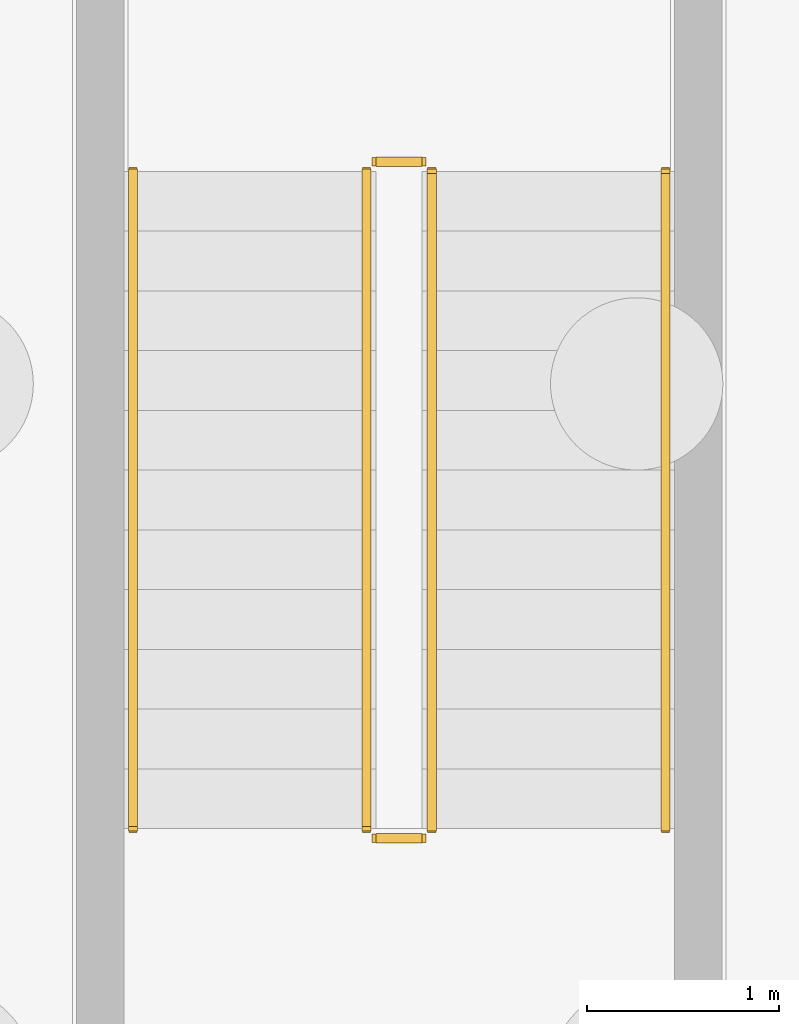
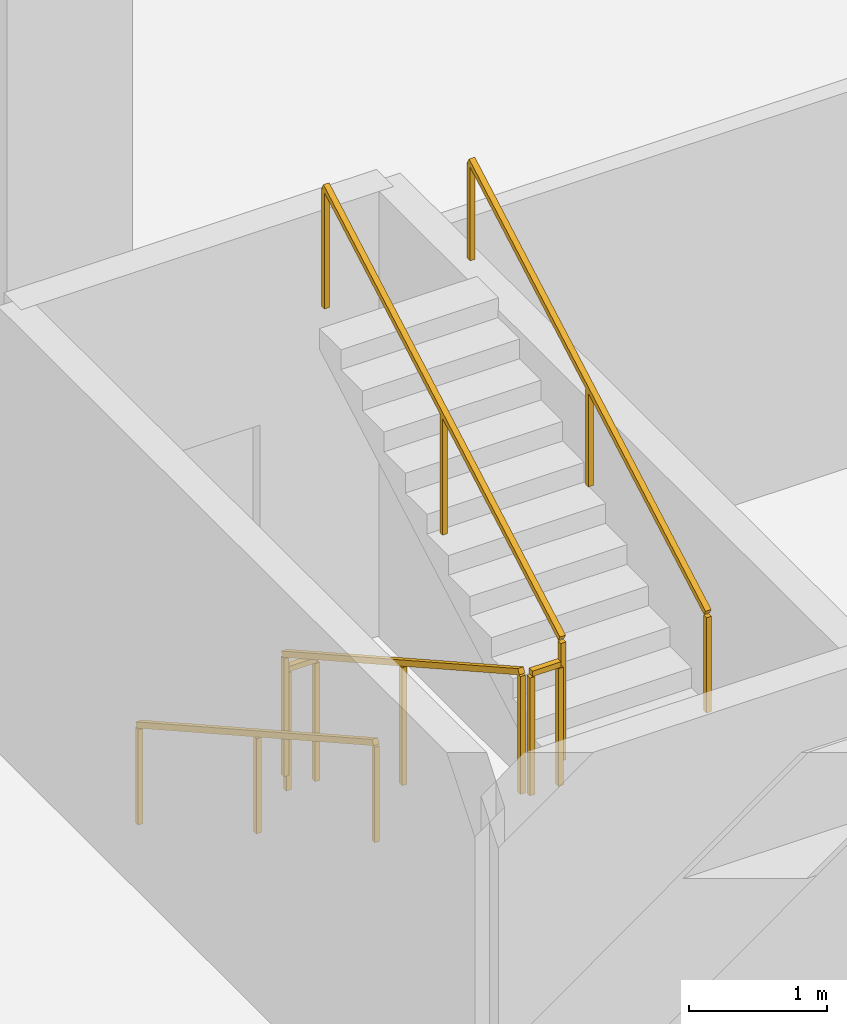
# One storey, part 10 of 13: 6 railings.
"""IFC4 building model written with IfcOpenShell, lengths in metres."""

from ifc_helpers import new_model, si_unit, direction, frame, origin, origin_2d, place, context, subcontext, project, spatial, rectangle, extrude, material, type_object, element, save


model = new_model("IFC4")

# Units and contexts
model_context = context("Model", 3, precision=1e-05, world=origin(), true_north=direction((0.0, 1.0)))
body_context = subcontext(model_context, "Body", "Model", "MODEL_VIEW")
ifc_project = project(units=[si_unit("LENGTHUNIT", "METRE"), si_unit("AREAUNIT", "SQUARE_METRE"), si_unit("VOLUMEUNIT", "CUBIC_METRE"), si_unit("PLANEANGLEUNIT", "RADIAN"), si_unit("MASSUNIT", "GRAM", prefix="KILO")], contexts=[model_context])

# Site, building, storey
site_placement = place(None, origin())
site = spatial("IfcSite", under=ifc_project, at=site_placement, CompositionType="ELEMENT")
building_placement = place(site_placement, origin())
building = spatial("IfcBuilding", under=site, at=building_placement, Name="Keilestroom Media Tower", CompositionType="ELEMENT")
storey_placement = place(building_placement, frame((0.0, 0.0, -8.39990234375)))
storey = spatial("IfcBuildingStorey", under=building, at=storey_placement, Name="B2", CompositionType="ELEMENT", Elevation=-8.39990234375)

# Railings
ifc_material_1 = material(Name="Brushed Stainless Steel 1.4301", Category="steel")
railing_type_1 = type_object("IfcRailingType", Name="Stair-Pitch-Handrail-920", PredefinedType="HANDRAIL", material=ifc_material_1)
railing_1_placement = place(storey_placement, frame((-27.830078125, -13.2900390625, 0.1748046875)))
element("IfcRailing", 1, at=railing_1_placement, inside=storey, type_object=railing_type_1, Name="B2 ST-3 stair handrail 1", PredefinedType="HANDRAIL", context=body_context, shape_type="SweptSolid", body=[
    extrude(rectangle(XDim=0.048095703125, YDim=0.048095703125, at=origin_2d()), frame((0.0, 0.0, 0.8759765625), z_axis=(0.0, -0.872159829118, 0.489221046638), x_axis=(1.0, 0.0, 0.0)), (0.0, 0.0, 1.0), 3.934814453125),
    extrude(rectangle(XDim=0.0419921875, YDim=0.0419921875, at=origin_2d()), origin(), (0.0, 0.0, 1.0), 0.84375),
    extrude(rectangle(XDim=0.0419921875, YDim=0.0419921875, at=origin_2d()), frame((0.0, -1.7158203125, 0.96240234375)), (0.0, 0.0, 1.0), 0.84375),
    extrude(rectangle(XDim=0.0419921875, YDim=0.0419921875, at=origin_2d()), frame((0.0, -3.431884765625, 1.925048828125)), (0.0, 0.0, 1.0), 0.84375),
])
railing_2_placement = place(storey_placement, frame((-25.050048828125, -16.721923828125, 2.27490234375)))
element("IfcRailing", 2, at=railing_2_placement, inside=storey, type_object=railing_type_1, Name="B2 ST-3 stair handrail 2", PredefinedType="HANDRAIL", context=body_context, shape_type="SweptSolid", body=[
    extrude(rectangle(XDim=0.048095703125, YDim=0.048095703125, at=origin_2d()), frame((0.0, 0.0, 0.8759765625), z_axis=(0.0, 0.872159829118, 0.489221046638), x_axis=(-1.0, 0.0, 0.0)), (0.0, 0.0, 1.0), 3.934814453125),
    extrude(rectangle(XDim=0.0419921875, YDim=0.0419921875, at=origin_2d()), origin(), (0.0, 0.0, 1.0), 0.84375),
    extrude(rectangle(XDim=0.0419921875, YDim=0.0419921875, at=origin_2d()), frame((0.0, 1.7158203125, 0.96240234375)), (0.0, 0.0, 1.0), 0.84375),
    extrude(rectangle(XDim=0.0419921875, YDim=0.0419921875, at=origin_2d()), frame((0.0, 3.431884765625, 1.925048828125)), (0.0, 0.0, 1.0), 0.84375),
])
ifc_material_2 = material(Name="Painted Steel Balustrade", Category="steel")
railing_type_2 = type_object("IfcRailingType", Name="Stair-Well-And-Landing-Guard-1100", PredefinedType="GUARDRAIL", material=ifc_material_2)
railing_3_placement = place(storey_placement, frame((-26.610107421875, -13.2900390625, 0.1748046875)))
element("IfcRailing", 3, at=railing_3_placement, inside=storey, type_object=railing_type_2, Name="B2 ST-3 stair guard 1", PredefinedType="GUARDRAIL", context=body_context, shape_type="SweptSolid", body=[
    extrude(rectangle(XDim=0.048095703125, YDim=0.048095703125, at=origin_2d()), frame((0.0, 0.0, 1.076171875), z_axis=(0.0, -0.872159829118, 0.489221046638), x_axis=(1.0, 0.0, 0.0)), (0.0, 0.0, 1.0), 3.934814453125),
    extrude(rectangle(XDim=0.0419921875, YDim=0.0419921875, at=origin_2d()), origin(), (0.0, 0.0, 1.0), 1.0439453125),
    extrude(rectangle(XDim=0.0419921875, YDim=0.0419921875, at=origin_2d()), frame((0.0, -1.7158203125, 0.96240234375)), (0.0, 0.0, 1.0), 1.0439453125),
    extrude(rectangle(XDim=0.0419921875, YDim=0.0419921875, at=origin_2d()), frame((0.0, -3.431884765625, 1.925048828125)), (0.0, 0.0, 1.0), 1.0439453125),
])
railing_4_placement = place(storey_placement, frame((-26.56005859375, -16.77197265625, 2.099853515625)))
element("IfcRailing", 4, at=railing_4_placement, inside=storey, type_object=railing_type_2, Name="B2 ST-3 stair guard 2", PredefinedType="GUARDRAIL", context=body_context, shape_type="SweptSolid", body=[
    extrude(rectangle(XDim=0.048095703125, YDim=0.048095703125, at=origin_2d()), frame((0.0, 0.0, 1.076171875), z_axis=(1.0, 0.0, 0.0), x_axis=(0.0, 1.0, 0.0)), (0.0, 0.0, 1.0), 0.239990234375),
    extrude(rectangle(XDim=0.0419921875, YDim=0.0419921875, at=origin_2d()), origin(), (0.0, 0.0, 1.0), 1.0439453125),
    extrude(rectangle(XDim=0.0419921875, YDim=0.0419921875, at=origin_2d()), frame((0.239990234375, 0.0, 0.0)), (0.0, 0.0, 1.0), 1.0439453125),
])
railing_5_placement = place(storey_placement, frame((-26.27001953125, -16.721923828125, 2.27490234375)))
element("IfcRailing", 5, at=railing_5_placement, inside=storey, type_object=railing_type_2, Name="B2 ST-3 stair guard 3", PredefinedType="GUARDRAIL", context=body_context, shape_type="SweptSolid", body=[
    extrude(rectangle(XDim=0.048095703125, YDim=0.048095703125, at=origin_2d()), frame((0.0, 0.0, 1.076171875), z_axis=(0.0, 0.872159829118, 0.489221046638), x_axis=(-1.0, 0.0, 0.0)), (0.0, 0.0, 1.0), 3.934814453125),
    extrude(rectangle(XDim=0.0419921875, YDim=0.0419921875, at=origin_2d()), origin(), (0.0, 0.0, 1.0), 1.0439453125),
    extrude(rectangle(XDim=0.0419921875, YDim=0.0419921875, at=origin_2d()), frame((0.0, 1.7158203125, 0.96240234375)), (0.0, 0.0, 1.0), 1.0439453125),
    extrude(rectangle(XDim=0.0419921875, YDim=0.0419921875, at=origin_2d()), frame((0.0, 3.431884765625, 1.925048828125)), (0.0, 0.0, 1.0), 1.0439453125),
])
railing_6_placement = place(storey_placement, frame((-26.56005859375, -13.239990234375, 0.0)))
element("IfcRailing", 6, at=railing_6_placement, inside=storey, type_object=railing_type_2, Name="B2 ST-3 stair guard 4", PredefinedType="GUARDRAIL", context=body_context, shape_type="SweptSolid", body=[
    extrude(rectangle(XDim=0.048095703125, YDim=0.048095703125, at=origin_2d()), frame((0.0, 0.0, 1.076171875), z_axis=(1.0, 0.0, 0.0), x_axis=(0.0, 1.0, 0.0)), (0.0, 0.0, 1.0), 0.239990234375),
    extrude(rectangle(XDim=0.0419921875, YDim=0.0419921875, at=origin_2d()), origin(), (0.0, 0.0, 1.0), 1.0439453125),
    extrude(rectangle(XDim=0.0419921875, YDim=0.0419921875, at=origin_2d()), frame((0.239990234375, 0.0, 0.0)), (0.0, 0.0, 1.0), 1.0439453125),
])

save(model, "model.ifc")
